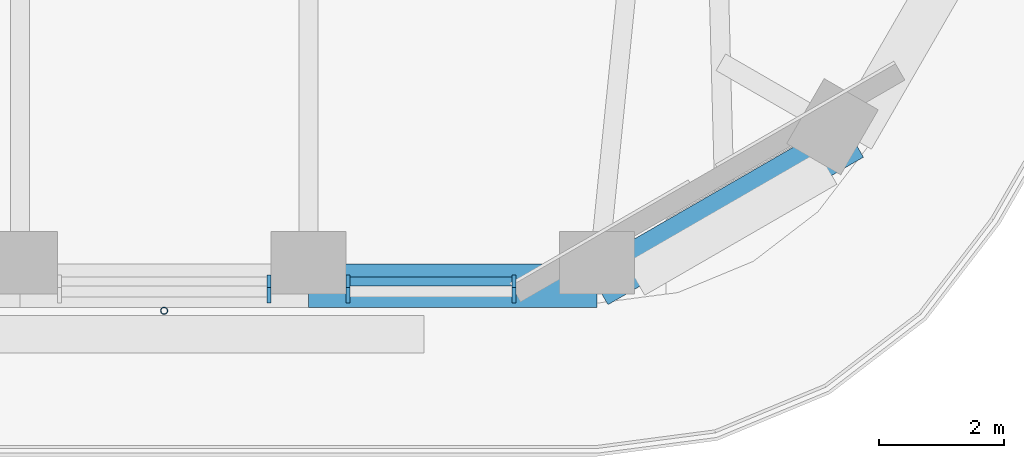
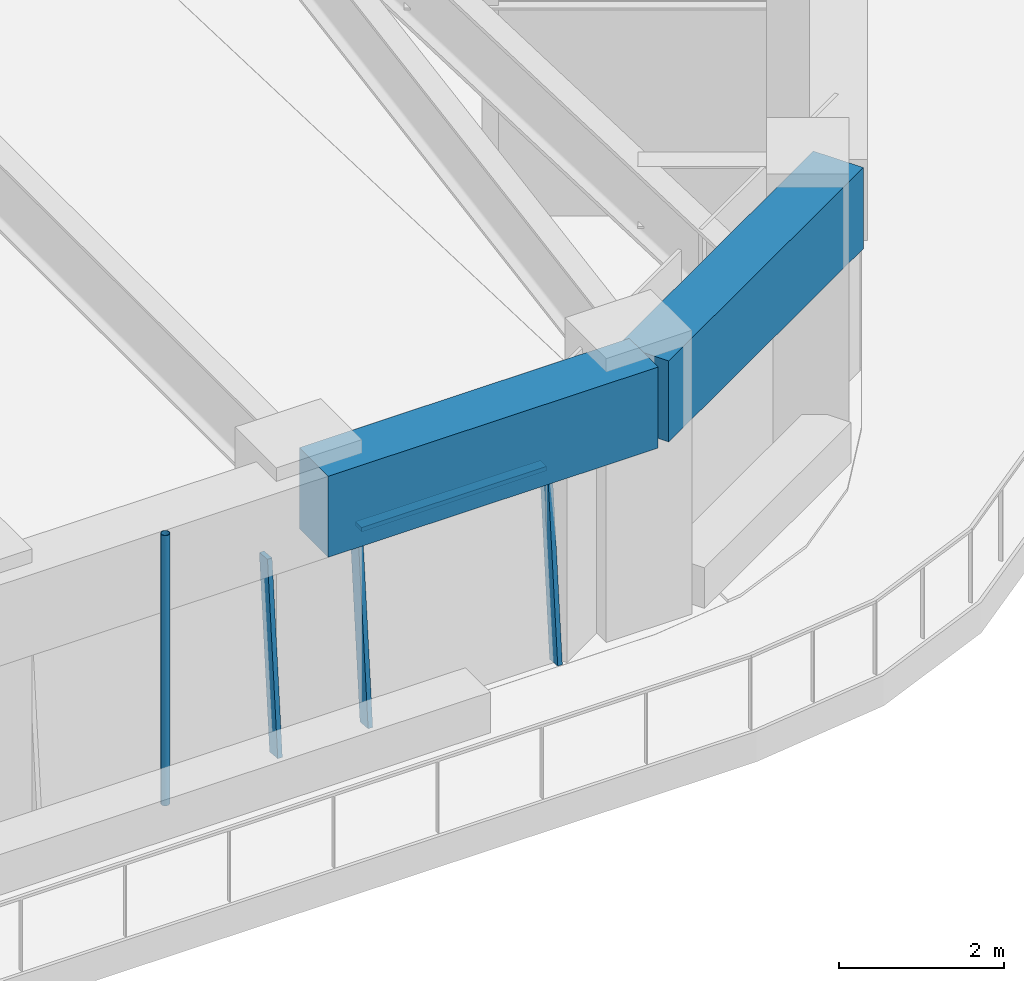
# One storey, part 4 of 20: 5 members, 2 beams, 2 elements without a shape of their own.
"""IFC4 building model written with IfcOpenShell, lengths in metres."""

from ifc_helpers import new_model, si_unit, direction, frame, origin, origin_2d, place, context, subcontext, project, spatial, rectangle, hollow_circle, extrude, material, material_profile, profile_set, type_object, element, aggregate, save


model = new_model("IFC4")

# Units and contexts
model_context = context("Model", 3, precision=1e-05, world=origin(), true_north=direction((0.0, 1.0)))
body_context = subcontext(model_context, "Body", "Model", "MODEL_VIEW")
ifc_project = project(units=[si_unit("LENGTHUNIT", "METRE"), si_unit("AREAUNIT", "SQUARE_METRE"), si_unit("VOLUMEUNIT", "CUBIC_METRE"), si_unit("PLANEANGLEUNIT", "RADIAN"), si_unit("MASSUNIT", "GRAM", prefix="KILO")], contexts=[model_context])

# Site, building, storey
site_placement = place(None, origin())
site = spatial("IfcSite", under=ifc_project, at=site_placement, CompositionType="ELEMENT")
building_placement = place(site_placement, origin())
building = spatial("IfcBuilding", under=site, at=building_placement, Name="Tarfa Lantern Tower", CompositionType="ELEMENT")
storey_placement = place(building_placement, frame((0.0, 0.0, 270.10009765625)))
storey = spatial("IfcBuildingStorey", under=building, at=storey_placement, Name="L61", CompositionType="ELEMENT", Elevation=270.10009765625)

# Curtain wall, member
ifc_material_1 = material(Name="Aluminium framed curtain wall", Category="aluminium")
curtain_wall_type = type_object("IfcCurtainWallType", Name="CW3 CANTED GLAZING HIGH ZONE 2800", PredefinedType="USERDEFINED", material=ifc_material_1)
curtain_wall_1_placement = place(storey_placement, origin())
curtain_wall_1 = element("IfcCurtainWall", 1, at=curtain_wall_1_placement, inside=storey, type_object=curtain_wall_type, Name="CW3 S L61", ObjectType="CURTAIN WALL", PredefinedType="USERDEFINED")
ifc_material_2 = material(Name="Aluminium mullion", Category="aluminium")
ifc_material_profile_1 = material_profile(ifc_material_2, rectangle(XDim=0.06494140625, YDim=0.199951171875, at=origin_2d()), Name="AL MULLION 65x200")
ifc_profile_set_1 = profile_set([ifc_material_profile_1], Name="Aluminium mullion")
member_type_1 = type_object("IfcMemberType", Name="CWM1 MULLION 65x200", PredefinedType="MULLION", material=ifc_profile_set_1)
member_1_placement = place(storey_placement, frame((8.605224609375, -28.89990234375, 0.0), z_axis=(0.0, 0.088938092736, 0.996037155763), x_axis=(-1.0, 0.0, 0.0)))
member_1 = element("IfcMember", 2, at=member_1_placement, type_object=member_type_1, Name="CW3 mullion 2", PredefinedType="MULLION", context=body_context, shape_type="SweptSolid", body=[
    extrude(rectangle(XDim=0.06494140625, YDim=0.199951171875, at=origin_2d()), origin(), (0.0, 0.0, 1.0), 2.81103515625),
])
aggregate(curtain_wall_1, [member_1])

# Curtain wall, members
curtain_wall_2_placement = place(storey_placement, origin())
curtain_wall_2 = element("IfcCurtainWall", 3, at=curtain_wall_2_placement, inside=storey, type_object=curtain_wall_type, Name="CW3 S L61", ObjectType="CURTAIN WALL", PredefinedType="USERDEFINED")
member_2_placement = place(storey_placement, frame((9.8701171875, -28.89990234375, 0.0), z_axis=(0.0, 0.088938092736, 0.996037155763), x_axis=(-1.0, 0.0, 0.0)))
member_2 = element("IfcMember", 4, at=member_2_placement, type_object=member_type_1, Name="CW3 mullion 1", PredefinedType="MULLION", context=body_context, shape_type="SweptSolid", body=[
    extrude(rectangle(XDim=0.06494140625, YDim=0.199951171875, at=origin_2d()), origin(), (0.0, 0.0, 1.0), 2.81103515625),
])
member_3_placement = place(storey_placement, frame((12.52392578125, -28.89990234375, 0.0), z_axis=(0.0, 0.088938092736, 0.996037155763), x_axis=(-1.0, 0.0, 0.0)))
member_3 = element("IfcMember", 5, at=member_3_placement, type_object=member_type_1, Name="CW3 mullion 2", PredefinedType="MULLION", context=body_context, shape_type="SweptSolid", body=[
    extrude(rectangle(XDim=0.06494140625, YDim=0.199951171875, at=origin_2d()), origin(), (0.0, 0.0, 1.0), 2.81103515625),
])
ifc_material_3 = material(Name="Aluminium transom", Category="aluminium")
ifc_material_profile_2 = material_profile(ifc_material_3, rectangle(XDim=0.14990234375, YDim=0.06494140625, at=origin_2d()), Name="AL TRANSOM 150x65")
ifc_profile_set_2 = profile_set([ifc_material_profile_2], Name="Aluminium transom")
member_type_2 = type_object("IfcMemberType", Name="CWT1 TRANSOM 150x65", PredefinedType="USERDEFINED", material=ifc_profile_set_2)
member_4_placement = place(storey_placement, frame((9.902587890625, -28.65283203125, 2.767333984375), z_axis=(1.0, 0.0, 0.0), x_axis=(0.0, 1.0, 0.0)))
member_4 = element("IfcMember", 6, at=member_4_placement, type_object=member_type_2, Name="CW3 transom 1.2", ObjectType="TRANSOM", PredefinedType="USERDEFINED", context=body_context, shape_type="SweptSolid", body=[
    extrude(rectangle(XDim=0.14990234375, YDim=0.06494140625, at=origin_2d()), origin(), (0.0, 0.0, 1.0), 2.5888671875),
])
aggregate(curtain_wall_2, [member_2, member_3, member_4])

# Beams
ifc_material_4 = material(Name="Concrete C80/95", Category="concrete")
ifc_material_profile_3 = material_profile(ifc_material_4, rectangle(XDim=0.699951171875, YDim=1.199951171875, at=origin_2d()), Name="RC 700x1200")
ifc_profile_set_3 = profile_set([ifc_material_profile_3], Name="Concrete C80/95")
beam_type = type_object("IfcBeamType", Name="EB3 RC 700x1200", PredefinedType="SPANDREL", material=ifc_profile_set_3)
beam_1_placement = place(storey_placement, frame((9.237548828125, -28.719970703125, 3.39990234375), z_axis=(1.0, 0.0, 0.0), x_axis=(0.0, 1.0, 0.0)))
element("IfcBeam", 7, at=beam_1_placement, inside=storey, type_object=beam_type, Name="Edge beam S5", PredefinedType="SPANDREL", context=body_context, shape_type="SweptSolid", body=[
    extrude(rectangle(XDim=0.699951171875, YDim=1.199951171875, at=origin_2d()), origin(), (0.0, 0.0, 1.0), 4.618896484375),
])
beam_2_placement = place(storey_placement, frame((13.8564453125, -28.719970703125, 3.39990234375), z_axis=(0.866038294681, 0.499977671647, 0.0), x_axis=(-0.499977671647, 0.866038294681, 0.0)))
element("IfcBeam", 8, at=beam_2_placement, inside=storey, type_object=beam_type, Name="Edge beam S6", PredefinedType="SPANDREL", context=body_context, shape_type="SweptSolid", body=[
    extrude(rectangle(XDim=0.699951171875, YDim=1.199951171875, at=origin_2d()), origin(), (0.0, 0.0, 1.0), 4.719970703125),
])

# Member
ifc_material_5 = material(Name="Steel S355", Category="steel")
ifc_material_profile_4 = material_profile(ifc_material_5, hollow_circle(Radius=0.05712890625, WallThickness=0.00634765625, at=origin_2d()), Name="CHS114.3x6.3")
ifc_profile_set_4 = profile_set([ifc_material_profile_4], Name="Steel S355")
member_type_3 = type_object("IfcMemberType", Name="TR1 GREEN WALL TRELLIS CHS114.3x6.3", PredefinedType="USERDEFINED", material=ifc_profile_set_4)
member_5_placement = place(storey_placement, frame((6.92822265625, -29.1201171875, 0.0), z_axis=(0.0, 0.0, 1.0), x_axis=(1.0, 0.0, 0.0)))
element("IfcMember", 9, at=member_5_placement, inside=storey, type_object=member_type_3, Name="Trellis post S 2", ObjectType="TRELLIS", PredefinedType="USERDEFINED", context=body_context, shape_type="SweptSolid", body=[
    extrude(hollow_circle(Radius=0.05712890625, WallThickness=0.00634765625, at=origin_2d()), origin(), (0.0, 0.0, 1.0), 4.0),
])

save(model, "model.ifc")
